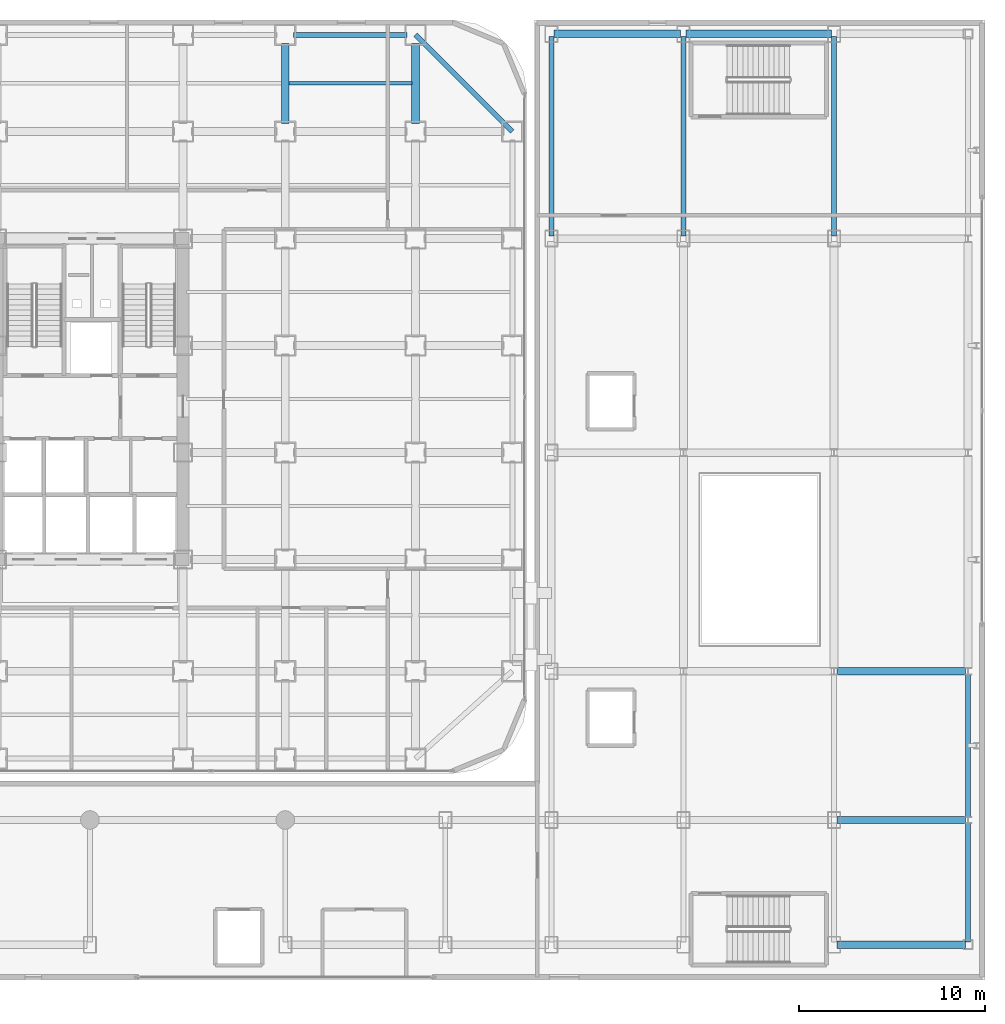
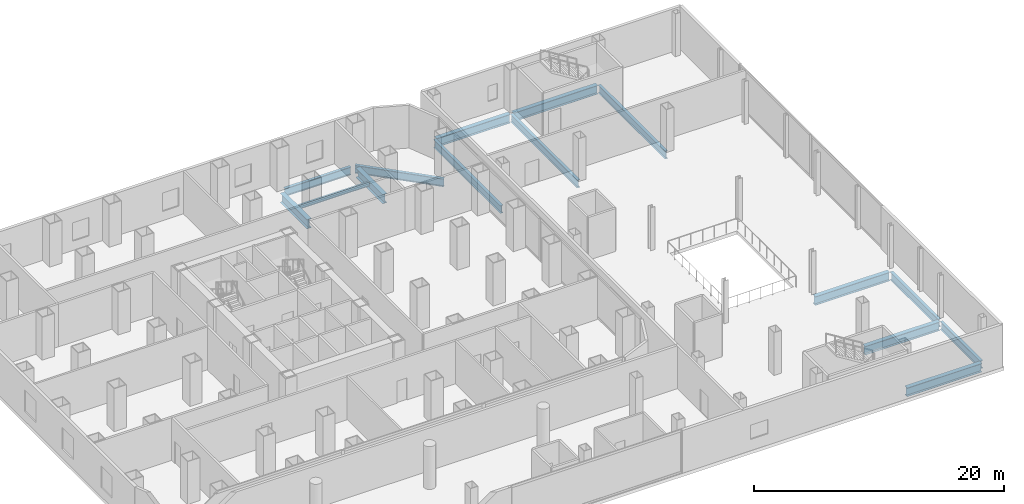
# One storey, part 15 of 26: 15 beams.
"""IFC4 building model written with IfcOpenShell, lengths in metres."""

from ifc_helpers import new_model, si_unit, direction, frame, origin, origin_2d, place, context, subcontext, project, spatial, i_section, extrude, source, transform, mapped, material, material_profile, profile_set, type_object, element, save


model = new_model("IFC4")

# Units and contexts
model_context = context("Model", 3, precision=1e-05, world=origin(), true_north=direction((0.0, 1.0)))
body_context = subcontext(model_context, "Body", "Model", "MODEL_VIEW")
ifc_project = project(units=[si_unit("LENGTHUNIT", "METRE"), si_unit("AREAUNIT", "SQUARE_METRE"), si_unit("VOLUMEUNIT", "CUBIC_METRE"), si_unit("PLANEANGLEUNIT", "RADIAN"), si_unit("MASSUNIT", "GRAM", prefix="KILO")], contexts=[model_context])

# Site, building, storey
site_placement = place(None, origin())
site = spatial("IfcSite", under=ifc_project, at=site_placement, CompositionType="ELEMENT")
building_placement = place(site_placement, origin())
building = spatial("IfcBuilding", under=site, at=building_placement, Name="Kolveth Station Tower", CompositionType="ELEMENT")
storey_placement = place(building_placement, frame((0.0, 0.0, 9.0)))
storey = spatial("IfcBuildingStorey", under=building, at=storey_placement, Name="L02", CompositionType="ELEMENT", Elevation=9.0)

# Beams
ifc_material = material(Name="Steel S355", Category="steel")
ifc_material_profile_1 = material_profile(ifc_material, i_section(OverallWidth=0.26904296875, OverallDepth=0.77490234375, WebThickness=0.01708984375, FlangeThickness=0.0283203125, at=origin_2d()), Name="W760x220")
ifc_profile_set_1 = profile_set([ifc_material_profile_1], Name="Steel S355")
beam_type_1 = type_object("IfcBeamType", Name="Beam_SP1", PredefinedType="SPANDREL", material=ifc_profile_set_1)
shared_shape_1 = source(origin(), body_context, "Body", "SweptSolid", [
    extrude(i_section(OverallWidth=0.26904296875, OverallDepth=0.77490234375, WebThickness=0.01708984375, FlangeThickness=0.0283203125, at=origin_2d()), origin(), (0.0, 0.0, 1.0), 6.10009765625),
])
beam_1_placement = place(storey_placement, frame((34.449951171875, 39.699951171875, -0.70751953125), z_axis=(1.0, 0.0, 0.0), x_axis=(0.0, 1.0, 0.0)))
element("IfcBeam", 1, at=beam_1_placement, inside=storey, type_object=beam_type_1, Name="L02 Perimeter Spandrel BM-L02-PN-5", PredefinedType="SPANDREL", context=body_context, shape_type="MappedRepresentation", body=[
    mapped(shared_shape_1, transform((0.0, 0.0, 0.0), x_axis=(1.0, 0.0, 0.0), y_axis=(0.0, 1.0, 0.0), z_axis=(0.0, 0.0, 1.0), scale=1.0)),
])
shared_shape_2 = source(origin(), body_context, "Body", "SweptSolid", [
    extrude(i_section(OverallWidth=0.26904296875, OverallDepth=0.77490234375, WebThickness=0.01708984375, FlangeThickness=0.0283203125, at=origin_2d()), origin(), (0.0, 0.0, 1.0), 7.353759765625),
])
beam_2_placement = place(storey_placement, frame((46.199951171875, 34.5, -0.70751953125), z_axis=(-0.707106781187, 0.707106781187, 0.0), x_axis=(-0.707106781187, -0.707106781187, 0.0)))
element("IfcBeam", 2, at=beam_2_placement, inside=storey, type_object=beam_type_1, Name="L02 Corner Edge Girder BM-L02-CNR-NE", PredefinedType="SPANDREL", context=body_context, shape_type="MappedRepresentation", body=[
    mapped(shared_shape_2, transform((0.0, 0.0, 0.0), x_axis=(1.0, 0.0, 0.0), y_axis=(0.0, 1.0, 0.0), z_axis=(0.0, 0.0, 1.0), scale=1.0)),
])
ifc_material_profile_2 = material_profile(ifc_material, i_section(OverallWidth=0.41796875, OverallDepth=0.912109375, WebThickness=0.019287109375, FlangeThickness=0.031982421875, at=origin_2d()), Name="W920x342")
ifc_profile_set_2 = profile_set([ifc_material_profile_2], Name="Steel S355")
beam_type_2 = type_object("IfcBeamType", Name="Beam_B1", PredefinedType="BEAM", material=ifc_profile_set_2)
shared_shape_3 = source(origin(), body_context, "Body", "SweptSolid", [
    extrude(i_section(OverallWidth=0.41796875, OverallDepth=0.912109375, WebThickness=0.019287109375, FlangeThickness=0.031982421875, at=origin_2d()), origin(), (0.0, 0.0, 1.0), 4.300048828125),
])
for number, where, z_axis, x_axis, name in (
    (3, (34.0, 34.949951171875, -0.77587890625), (0.0, 1.0, 0.0), (-1.0, 0.0, 0.0), "L02 Primary Girder BM-L02-GX340-7"),
    (4, (41.0, 34.949951171875, -0.77587890625), (0.0, 1.0, 0.0), (-1.0, 0.0, 0.0), "L02 Primary Girder BM-L02-GX410-7"),
):
    element("IfcBeam", number, at=place(storey_placement, frame(where, z_axis=z_axis, x_axis=x_axis)), inside=storey, type_object=beam_type_2, Name=name, PredefinedType="BEAM", context=body_context, shape_type="MappedRepresentation", body=[
        mapped(shared_shape_3, transform((0.0, 0.0, 0.0), x_axis=(1.0, 0.0, 0.0), y_axis=(0.0, 1.0, 0.0), z_axis=(0.0, 0.0, 1.0), scale=1.0)),
    ])
ifc_material_profile_3 = material_profile(ifc_material, i_section(OverallWidth=0.177978515625, OverallDepth=0.406982421875, WebThickness=0.0078125, FlangeThickness=0.0126953125, at=origin_2d()), Name="W410x60")
ifc_profile_set_3 = profile_set([ifc_material_profile_3], Name="Steel S355")
beam_type_3 = type_object("IfcBeamType", Name="Beam_J1", PredefinedType="JOIST", material=ifc_profile_set_3)
shared_shape_4 = source(origin(), body_context, "Body", "SweptSolid", [
    extrude(i_section(OverallWidth=0.177978515625, OverallDepth=0.406982421875, WebThickness=0.0078125, FlangeThickness=0.0126953125, at=origin_2d()), origin(), (0.0, 0.0, 1.0), 6.60986328125),
])
beam_3_placement = place(storey_placement, frame((34.195068359375, 37.10009765625, -0.5234375), z_axis=(1.0, 0.0, 0.0), x_axis=(0.0, 1.0, 0.0)))
element("IfcBeam", 5, at=beam_3_placement, inside=storey, type_object=beam_type_3, Name="L02 Secondary Joist JST-L02-6-7", PredefinedType="JOIST", context=body_context, shape_type="MappedRepresentation", body=[
    mapped(shared_shape_4, transform((0.0, 0.0, 0.0), x_axis=(1.0, 0.0, 0.0), y_axis=(0.0, 1.0, 0.0), z_axis=(0.0, 0.0, 1.0), scale=1.0)),
])
ifc_material_profile_4 = material_profile(ifc_material, i_section(OverallWidth=0.40087890625, OverallDepth=0.85107421875, WebThickness=0.01611328125, FlangeThickness=0.025390625, at=origin_2d()), Name="W840x226")
ifc_profile_set_4 = profile_set([ifc_material_profile_4], Name="Steel S355")
beam_type_4 = type_object("IfcBeamType", Name="Beam_B2", PredefinedType="BEAM", material=ifc_profile_set_4)
shared_shape_5 = source(origin(), body_context, "Body", "SweptSolid", [
    extrude(i_section(OverallWidth=0.40087890625, OverallDepth=0.85107421875, WebThickness=0.01611328125, FlangeThickness=0.025390625, at=origin_2d()), origin(), (0.0, 0.0, 1.0), 6.800048828125),
])
beam_4_placement = place(storey_placement, frame((48.449951171875, 39.75, -0.74560546875), z_axis=(1.0, 0.0, 0.0), x_axis=(0.0, 1.0, 0.0)))
element("IfcBeam", 6, at=beam_4_placement, inside=storey, type_object=beam_type_4, Name="L02 Station Portal Girder SBM-L02-EW-6-1", PredefinedType="BEAM", context=body_context, shape_type="MappedRepresentation", body=[
    mapped(shared_shape_5, transform((0.0, 0.0, 0.0), x_axis=(1.0, 0.0, 0.0), y_axis=(0.0, 1.0, 0.0), z_axis=(0.0, 0.0, 1.0), scale=1.0)),
])
shared_shape_6 = source(origin(), body_context, "Body", "SweptSolid", [
    extrude(i_section(OverallWidth=0.40087890625, OverallDepth=0.85107421875, WebThickness=0.01611328125, FlangeThickness=0.025390625, at=origin_2d()), origin(), (0.0, 0.0, 1.0), 6.900146484375),
])
for number, where, z_axis, x_axis, name in (
    (7, (63.64990234375, -9.199951171875, -0.74560546875), (1.0, 0.0, 0.0), (0.0, 1.0, 0.0), "L02 Station Portal Girder SBM-L02-EW-1-3"),
    (8, (63.64990234375, -2.5, -0.74560546875), (1.0, 0.0, 0.0), (0.0, 1.0, 0.0), "L02 Station Portal Girder SBM-L02-EW-2-3"),
    (9, (63.64990234375, 5.5, -0.74560546875), (1.0, 0.0, 0.0), (0.0, 1.0, 0.0), "L02 Station Portal Girder SBM-L02-EW-3-3"),
):
    element("IfcBeam", number, at=place(storey_placement, frame(where, z_axis=z_axis, x_axis=x_axis)), inside=storey, type_object=beam_type_4, Name=name, PredefinedType="BEAM", context=body_context, shape_type="MappedRepresentation", body=[
        mapped(shared_shape_6, transform((0.0, 0.0, 0.0), x_axis=(1.0, 0.0, 0.0), y_axis=(0.0, 1.0, 0.0), z_axis=(0.0, 0.0, 1.0), scale=1.0)),
    ])
shared_shape_7 = source(origin(), body_context, "Body", "SweptSolid", [
    extrude(i_section(OverallWidth=0.40087890625, OverallDepth=0.85107421875, WebThickness=0.01611328125, FlangeThickness=0.025390625, at=origin_2d()), origin(), (0.0, 0.0, 1.0), 7.800048828125),
])
beam_5_placement = place(storey_placement, frame((55.550048828125, 39.75, -0.74560546875), z_axis=(1.0, 0.0, 0.0), x_axis=(0.0, 1.0, 0.0)))
element("IfcBeam", 10, at=beam_5_placement, inside=storey, type_object=beam_type_4, Name="L02 Station Portal Girder SBM-L02-EW-6-2", PredefinedType="BEAM", context=body_context, shape_type="MappedRepresentation", body=[
    mapped(shared_shape_7, transform((0.0, 0.0, 0.0), x_axis=(1.0, 0.0, 0.0), y_axis=(0.0, 1.0, 0.0), z_axis=(0.0, 0.0, 1.0), scale=1.0)),
])
ifc_material_profile_5 = material_profile(ifc_material, i_section(OverallWidth=0.26708984375, OverallDepth=0.76611328125, WebThickness=0.014892578125, FlangeThickness=0.023681640625, at=origin_2d()), Name="W760x185")
ifc_profile_set_5 = profile_set([ifc_material_profile_5], Name="Steel S355")
beam_type_5 = type_object("IfcBeamType", Name="Beam_B3", PredefinedType="BEAM", material=ifc_profile_set_5)
shared_shape_8 = source(origin(), body_context, "Body", "SweptSolid", [
    extrude(i_section(OverallWidth=0.26708984375, OverallDepth=0.76611328125, WebThickness=0.014892578125, FlangeThickness=0.023681640625, at=origin_2d()), origin(), (0.0, 0.0, 1.0), 6.400146484375),
])
beam_6_placement = place(storey_placement, frame((70.699951171875, -9.050048828125, -0.702880859375), z_axis=(0.0, 1.0, 0.0), x_axis=(-1.0, 0.0, 0.0)))
element("IfcBeam", 11, at=beam_6_placement, inside=storey, type_object=beam_type_5, Name="L02 Station Spine Girder SBM-L02-NS-4-1", PredefinedType="BEAM", context=body_context, shape_type="MappedRepresentation", body=[
    mapped(shared_shape_8, transform((0.0, 0.0, 0.0), x_axis=(1.0, 0.0, 0.0), y_axis=(0.0, 1.0, 0.0), z_axis=(0.0, 0.0, 1.0), scale=1.0)),
])
shared_shape_9 = source(origin(), body_context, "Body", "SweptSolid", [
    extrude(i_section(OverallWidth=0.26708984375, OverallDepth=0.76611328125, WebThickness=0.014892578125, FlangeThickness=0.023681640625, at=origin_2d()), origin(), (0.0, 0.0, 1.0), 7.7001953125),
])
beam_7_placement = place(storey_placement, frame((70.699951171875, -2.35009765625, -0.702880859375), z_axis=(0.0, 1.0, 0.0), x_axis=(-1.0, 0.0, 0.0)))
element("IfcBeam", 12, at=beam_7_placement, inside=storey, type_object=beam_type_5, Name="L02 Station Spine Girder SBM-L02-NS-4-2", PredefinedType="BEAM", context=body_context, shape_type="MappedRepresentation", body=[
    mapped(shared_shape_9, transform((0.0, 0.0, 0.0), x_axis=(1.0, 0.0, 0.0), y_axis=(0.0, 1.0, 0.0), z_axis=(0.0, 0.0, 1.0), scale=1.0)),
])
shared_shape_10 = source(origin(), body_context, "Body", "SweptSolid", [
    extrude(i_section(OverallWidth=0.26708984375, OverallDepth=0.76611328125, WebThickness=0.014892578125, FlangeThickness=0.023681640625, at=origin_2d()), origin(), (0.0, 0.0, 1.0), 10.7001953125),
])
for number, where, z_axis, x_axis, name in (
    (13, (48.300048828125, 28.89990234375, -0.702880859375), (0.0, 1.0, 0.0), (-1.0, 0.0, 0.0), "L02 Station Spine Girder SBM-L02-NS-1-5"),
    (14, (55.39990234375, 28.89990234375, -0.702880859375), (0.0, 1.0, 0.0), (-1.0, 0.0, 0.0), "L02 Station Spine Girder SBM-L02-NS-2-5"),
    (15, (63.5, 28.89990234375, -0.702880859375), (0.0, 1.0, 0.0), (-1.0, 0.0, 0.0), "L02 Station Spine Girder SBM-L02-NS-3-5"),
):
    element("IfcBeam", number, at=place(storey_placement, frame(where, z_axis=z_axis, x_axis=x_axis)), inside=storey, type_object=beam_type_5, Name=name, PredefinedType="BEAM", context=body_context, shape_type="MappedRepresentation", body=[
        mapped(shared_shape_10, transform((0.0, 0.0, 0.0), x_axis=(1.0, 0.0, 0.0), y_axis=(0.0, 1.0, 0.0), z_axis=(0.0, 0.0, 1.0), scale=1.0)),
    ])

save(model, "model.ifc")
